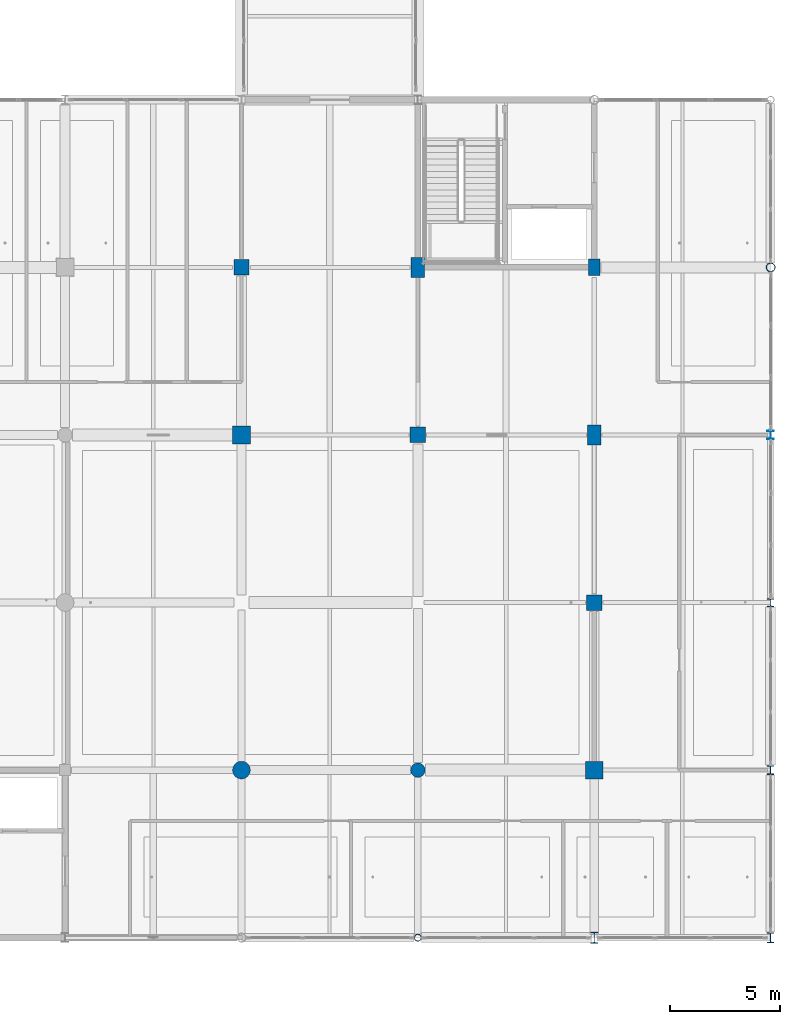
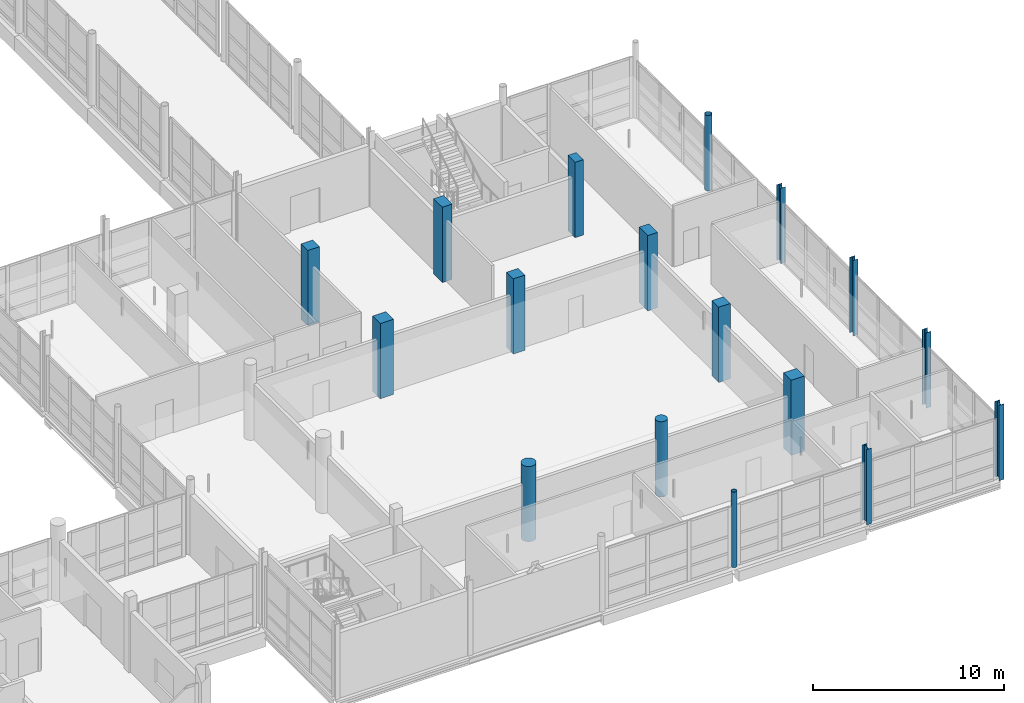
# One storey, part 7 of 141: 17 columns.
"""IFC4 building model written with IfcOpenShell, lengths in metres."""

import ifcopenshell
import ifcopenshell.guid

model = None  # the IFC model being written
_history = None  # IfcOwnerHistory: only IFC2X3 demands one
_inside = {}  # id of a spatial element -> (the spatial element, [elements in it])
_under = {}  # id of a project, library or spatial element -> (it, [spatial elements below it])
_declared = {}  # id of a project -> (the project, [libraries it declares])
_typed = {}  # id of a type object -> (the type object, [elements of that type])
_made_of = {}  # id of a material, layer set ... -> (it, [elements and type objects made of it])


def new_model(schema):
    """Start an empty IFC model of exactly this schema.

    Asked for "IFC4X3", IfcOpenShell would pick the latest addendum, in which some entities
    have other attributes; the version numbers below select the first issue.
    IFC2X3 requires an IfcOwnerHistory on every rooted entity: one is made here for all.
    """
    global model, _history
    if schema == "IFC4X3":
        model = ifcopenshell.file(schema_version=(4, 3, 0, 0))
    else:
        model = ifcopenshell.file(schema=schema)
    _inside.clear()
    _under.clear()
    _declared.clear()
    _typed.clear()
    _made_of.clear()
    _history = None
    if model.schema == "IFC2X3":
        org = make("IfcOrganization", Name="unknown")
        user = make(
            "IfcPersonAndOrganization",
            ThePerson=make("IfcPerson", FamilyName="unknown"),
            TheOrganization=org,
        )
        app = make(
            "IfcApplication",
            ApplicationDeveloper=org,
            Version="unknown",
            ApplicationFullName="unknown",
            ApplicationIdentifier="unknown",
        )
        _history = make(
            "IfcOwnerHistory",
            OwningUser=user,
            OwningApplication=app,
            ChangeAction="ADDED",
            CreationDate=0,
        )
    return model


def make(cls, **values):
    """One entity of the class cls with the attributes given. An attribute that is None is left unset."""
    return model.create_entity(
        cls, **{name: value for name, value in values.items() if value is not None}
    )


def rooted(cls, **values):
    """An entity with a GlobalId (a new one), such as an element, a storey or a relation."""
    return make(cls, GlobalId=ifcopenshell.guid.new(), OwnerHistory=_history, **values)


def si_unit(unit_type, name, prefix=None):
    """IfcSIUnit, for example si_unit("LENGTHUNIT", "METRE", prefix="MILLI")."""
    return make("IfcSIUnit", UnitType=unit_type, Prefix=prefix, Name=name)


def assignment(units):
    """IfcUnitAssignment: the units of a project."""
    return None if units is None else make("IfcUnitAssignment", Units=units)


def point(xyz):
    """IfcCartesianPoint."""
    return None if xyz is None else make("IfcCartesianPoint", Coordinates=xyz)


def direction(xyz):
    """IfcDirection."""
    return None if xyz is None else make("IfcDirection", DirectionRatios=xyz)


def frame(location, z_axis=None, x_axis=None):
    """IfcAxis2Placement3D, a coordinate frame: its origin and axes. An axis left out is left unset."""
    return make(
        "IfcAxis2Placement3D",
        Location=point(location),
        Axis=direction(z_axis),
        RefDirection=direction(x_axis),
    )


def frame_2d(location, x_axis=None):
    """IfcAxis2Placement2D, a coordinate frame in the plane: its origin and x axis."""
    return make(
        "IfcAxis2Placement2D", Location=point(location), RefDirection=direction(x_axis)
    )


def origin():
    """The frame at (0, 0, 0) with its axes left unset."""
    return frame((0.0, 0.0, 0.0))


def origin_2d():
    """The frame at (0, 0) in the plane with its x axis left unset."""
    return frame_2d((0.0, 0.0))


def place(relative_to, where):
    """IfcLocalPlacement: puts the frame where relative to a parent placement (None: the world)."""
    return make(
        "IfcLocalPlacement", PlacementRelTo=relative_to, RelativePlacement=where
    )


def context(
    kind, dimensions, precision=None, world=None, true_north=None, identifier=None
):
    """IfcGeometricRepresentationContext, for example the 3D "Model" context."""
    return make(
        "IfcGeometricRepresentationContext",
        ContextIdentifier=identifier,
        ContextType=kind,
        CoordinateSpaceDimension=dimensions,
        Precision=precision,
        WorldCoordinateSystem=world,
        TrueNorth=true_north,
    )


def subcontext(parent, identifier, kind, view, scale=None):
    """IfcGeometricRepresentationSubContext, for example "Body" below "Model"."""
    return make(
        "IfcGeometricRepresentationSubContext",
        ContextIdentifier=identifier,
        ContextType=kind,
        ParentContext=parent,
        TargetScale=scale,
        TargetView=view,
    )


def project(units=None, contexts=None):
    """IfcProject with its units and contexts."""
    return rooted(
        "IfcProject",
        Name="project",
        RepresentationContexts=contexts,
        UnitsInContext=assignment(units),
    )


def spatial(cls, under=None, at=None, **own):
    """A site, building, storey or space (cls), placed at a placement, below another one or the project."""
    s = rooted(cls, ObjectPlacement=at, **own)
    if under is not None:
        _under.setdefault(under.id(), (under, []))[1].append(s)
    return s


def profile(cls, at=None, kind="AREA", **sizes):
    """A parametric profile (cls). Its sizes go by their IFC names, for example OverallWidth=200.0."""
    return make(cls, ProfileType=kind, Position=at, **sizes)


def rectangle(**sizes):
    """IfcRectangleProfileDef."""
    return profile("IfcRectangleProfileDef", **sizes)


def circle(**sizes):
    """IfcCircleProfileDef."""
    return profile("IfcCircleProfileDef", **sizes)


def hollow_circle(**sizes):
    """IfcCircleHollowProfileDef."""
    return profile("IfcCircleHollowProfileDef", **sizes)


def i_section(**sizes):
    """IfcIShapeProfileDef."""
    return profile("IfcIShapeProfileDef", **sizes)


def extrude(swept, where, along, depth):
    """IfcExtrudedAreaSolid: the profile swept, set in the frame where, extruded along a direction by depth."""
    return make(
        "IfcExtrudedAreaSolid",
        SweptArea=swept,
        Position=where,
        ExtrudedDirection=direction(along),
        Depth=depth,
    )


def shape(context_of_items, identifier, shape_type, items):
    """IfcShapeRepresentation: the items that make up one representation, for example the "Body"."""
    return make(
        "IfcShapeRepresentation",
        ContextOfItems=context_of_items,
        RepresentationIdentifier=identifier,
        RepresentationType=shape_type,
        Items=items,
    )


def material(Name=None, Category=None):
    """IfcMaterial."""
    return make("IfcMaterial", Name=Name, Category=Category)


def material_profile(
    of_material, cross_section, Name=None, Category=None, Priority=None
):
    """IfcMaterialProfile: a cross section and its material."""
    return make(
        "IfcMaterialProfile",
        Name=Name,
        Material=of_material,
        Profile=cross_section,
        Priority=Priority,
        Category=Category,
    )


def profile_set(profiles, Name=None, composite=None):
    """IfcMaterialProfileSet."""
    return make(
        "IfcMaterialProfileSet",
        Name=Name,
        MaterialProfiles=profiles,
        CompositeProfile=composite,
    )


def made_of(thing, what):
    """Note that an element or type object is made of a material, layer set ...; save() writes the relation."""
    if what is not None:
        _made_of.setdefault(what.id(), (what, []))[1].append(thing)
    return thing


def type_object(cls, material=None, **own):
    """A type object (cls), such as IfcWallType, which elements share."""
    return made_of(rooted(cls, **own), material)


def element(
    cls,
    number,
    at=None,
    inside=None,
    cuts=None,
    type_object=None,
    material=None,
    context=None,
    identifier="Body",
    shape_type=None,
    held_by="IfcProductDefinitionShape",
    body=None,
    shapes=None,
    **own,
):
    """One element of the class cls, such as IfcWall. Its Tag is "e" and its number.

    at: its placement. inside: the storey or other place that contains it. cuts: it is an
    opening in that element (IfcRelVoidsElement). A single representation is given by context,
    identifier, shape_type and body (its items); several are given by shapes. held_by: the class
    of the entity that holds the representations. save() writes the other relations.
    """
    e = rooted(cls, Tag="e%d" % number, ObjectPlacement=at, **own)
    if body is not None:
        shapes = [shape(context, identifier, shape_type, body)]
    if shapes is not None:
        e.Representation = make(held_by, Representations=shapes)
    if inside is not None:
        _inside.setdefault(inside.id(), (inside, []))[1].append(e)
    if cuts is not None:
        rooted(
            "IfcRelVoidsElement", RelatingBuildingElement=cuts, RelatedOpeningElement=e
        )
    if type_object is not None:
        _typed.setdefault(type_object.id(), (type_object, []))[1].append(e)
    return made_of(e, material)


def aggregate(whole, parts):
    """IfcRelAggregates: a whole, such as a stair, and the parts it consists of."""
    return rooted("IfcRelAggregates", RelatingObject=whole, RelatedObjects=parts)


def save(model, path):
    """Write the relations noted so far, then the file.

    IfcRelAggregates (storeys below a building ...), IfcRelContainedInSpatialStructure (elements
    in a storey), IfcRelDefinesByType, IfcRelAssociatesMaterial and IfcRelDeclares: one each for
    every whole, place, type object, material and project.
    """
    for whole, parts in _under.values():
        aggregate(whole, parts)
    for where, things in _inside.values():
        rooted(
            "IfcRelContainedInSpatialStructure",
            RelatedElements=things,
            RelatingStructure=where,
        )
    for kind, things in _typed.values():
        rooted("IfcRelDefinesByType", RelatedObjects=things, RelatingType=kind)
    for what, things in _made_of.values():
        rooted("IfcRelAssociatesMaterial", RelatedObjects=things, RelatingMaterial=what)
    for by, libraries in _declared.values():
        rooted("IfcRelDeclares", RelatingContext=by, RelatedDefinitions=libraries)
    model.write(path)


model = new_model("IFC4")

# Units and contexts
model_context = context("Model", 3, precision=1e-05, world=origin(), true_north=direction((0.0, 1.0)))
body_context = subcontext(model_context, "Body", "Model", "MODEL_VIEW")
ifc_project = project(units=[si_unit("LENGTHUNIT", "METRE"), si_unit("AREAUNIT", "SQUARE_METRE"), si_unit("VOLUMEUNIT", "CUBIC_METRE"), si_unit("PLANEANGLEUNIT", "RADIAN"), si_unit("MASSUNIT", "GRAM", prefix="KILO")], contexts=[model_context])

# Site, building, storey
site_placement = place(None, origin())
site = spatial("IfcSite", under=ifc_project, at=site_placement, CompositionType="ELEMENT")
building_placement = place(site_placement, origin())
building = spatial("IfcBuilding", under=site, at=building_placement, Name="Khelvaren Railside Concert Hall", CompositionType="ELEMENT")
storey_placement = place(building_placement, frame((0.0, 0.0, 10.199951171875)))
storey = spatial("IfcBuildingStorey", under=building, at=storey_placement, Name="L02", CompositionType="ELEMENT", Elevation=10.199951171875)

# Columns
ifc_material_1 = material(Name="Steel S355", Category="steel")
ifc_material_profile_1 = material_profile(ifc_material_1, i_section(OverallWidth=0.300048828125, OverallDepth=0.360107421875, WebThickness=0.012451171875, FlangeThickness=0.0224609375, FilletRadius=0.027099609375, at=origin_2d()), Name="HEB 360")
ifc_profile_set_1 = profile_set([ifc_material_profile_1], Name="Steel S355")
column_type_1 = type_object("IfcColumnType", Name="COL12", PredefinedType="COLUMN", material=ifc_profile_set_1)
column_1_placement = place(storey_placement, frame((184.0, 15.199951171875, 0.0), z_axis=(0.0, 0.0, 1.0), x_axis=(1.0, 0.0, 0.0)))
element("IfcColumn", 1, at=column_1_placement, inside=storey, type_object=column_type_1, Name="V2 L02 Column (184.0,15.2)", PredefinedType="COLUMN", context=body_context, shape_type="SweptSolid", body=[
    extrude(i_section(OverallWidth=0.300048828125, OverallDepth=0.360107421875, WebThickness=0.012451171875, FlangeThickness=0.0224609375, FilletRadius=0.027099609375, at=origin_2d()), origin(), (0.0, 0.0, 1.0), 4.800048828125),
])
ifc_material_2 = material(Name="Concrete C45/55", Category="concrete")
ifc_material_profile_2 = material_profile(ifc_material_2, circle(Radius=0.39990234375, at=origin_2d()), Name="RC D800")
ifc_profile_set_2 = profile_set([ifc_material_profile_2], Name="Concrete C45/55")
column_type_2 = type_object("IfcColumnType", Name="COL14", PredefinedType="COLUMN", material=ifc_profile_set_2)
column_2_placement = place(storey_placement, frame((160.0, 7.60009765625, 0.0), z_axis=(0.0, 0.0, 1.0), x_axis=(1.0, 0.0, 0.0)))
element("IfcColumn", 2, at=column_2_placement, inside=storey, type_object=column_type_2, Name="V2 L02 Column (160.0,7.6)", PredefinedType="COLUMN", context=body_context, shape_type="SweptSolid", body=[
    extrude(circle(Radius=0.39990234375, at=origin_2d()), origin(), (0.0, 0.0, 1.0), 4.800048828125),
])
ifc_material_profile_3 = material_profile(ifc_material_1, i_section(OverallWidth=0.300048828125, OverallDepth=0.5, WebThickness=0.014404296875, FlangeThickness=0.028076171875, FilletRadius=0.027099609375, at=origin_2d()), Name="HEB 500")
ifc_profile_set_3 = profile_set([ifc_material_profile_3], Name="Steel S355")
column_type_3 = type_object("IfcColumnType", Name="COL15", PredefinedType="COLUMN", material=ifc_profile_set_3)
column_3_placement = place(storey_placement, frame((176.0, 0.0, 0.0), z_axis=(0.0, 0.0, 1.0), x_axis=(1.0, 0.0, 0.0)))
element("IfcColumn", 3, at=column_3_placement, inside=storey, type_object=column_type_3, Name="V2 L02 Column (176.0,0.0)", PredefinedType="COLUMN", context=body_context, shape_type="SweptSolid", body=[
    extrude(i_section(OverallWidth=0.300048828125, OverallDepth=0.5, WebThickness=0.014404296875, FlangeThickness=0.028076171875, FilletRadius=0.027099609375, at=origin_2d()), origin(), (0.0, 0.0, 1.0), 4.800048828125),
])
ifc_material_profile_4 = material_profile(ifc_material_2, rectangle(XDim=0.800048828125, YDim=0.800048828125, at=origin_2d()), Name="RC 800x800")
ifc_profile_set_4 = profile_set([ifc_material_profile_4], Name="Concrete C45/55")
column_type_4 = type_object("IfcColumnType", Name="COL20", PredefinedType="COLUMN", material=ifc_profile_set_4)
for number, where, z_axis, x_axis, name in (
    (4, (160.0, 22.800048828125, 0.0), (0.0, 0.0, 1.0), (1.0, 0.0, 0.0), "V2 L02 Column (160.0,22.8)"),
    (5, (176.0, 7.60009765625, 0.0), (0.0, 0.0, 1.0), (1.0, 0.0, 0.0), "V2 L02 Column (176.0,7.6)"),
):
    element("IfcColumn", number, at=place(storey_placement, frame(where, z_axis=z_axis, x_axis=x_axis)), inside=storey, type_object=column_type_4, Name=name, PredefinedType="COLUMN", context=body_context, shape_type="SweptSolid", body=[
        extrude(rectangle(XDim=0.800048828125, YDim=0.800048828125, at=origin_2d()), origin(), (0.0, 0.0, 1.0), 4.800048828125),
    ])
ifc_material_profile_5 = material_profile(ifc_material_1, i_section(OverallWidth=0.300048828125, OverallDepth=0.389892578125, WebThickness=0.010986328125, FlangeThickness=0.01904296875, FilletRadius=0.027099609375, at=origin_2d()), Name="HEA 400")
ifc_profile_set_5 = profile_set([ifc_material_profile_5], Name="Steel S355")
column_type_5 = type_object("IfcColumnType", Name="COL23", PredefinedType="COLUMN", material=ifc_profile_set_5)
column_4_placement = place(storey_placement, frame((184.0, 22.800048828125, 0.0), z_axis=(0.0, 0.0, 1.0), x_axis=(1.0, 0.0, 0.0)))
element("IfcColumn", 6, at=column_4_placement, inside=storey, type_object=column_type_5, Name="V2 L02 Column (184.0,22.8)", PredefinedType="COLUMN", context=body_context, shape_type="SweptSolid", body=[
    extrude(i_section(OverallWidth=0.300048828125, OverallDepth=0.389892578125, WebThickness=0.010986328125, FlangeThickness=0.01904296875, FilletRadius=0.027099609375, at=origin_2d()), origin(), (0.0, 0.0, 1.0), 4.800048828125),
])
ifc_material_profile_6 = material_profile(ifc_material_1, hollow_circle(Radius=0.203125, WallThickness=0.02001953125, at=origin_2d()), Name="CHS 406.4x20")
ifc_profile_set_6 = profile_set([ifc_material_profile_6], Name="Steel S355")
column_type_6 = type_object("IfcColumnType", Name="COL27", PredefinedType="COLUMN", material=ifc_profile_set_6)
column_5_placement = place(storey_placement, frame((184.0, 30.39990234375, 0.0), z_axis=(0.0, 0.0, 1.0), x_axis=(1.0, 0.0, 0.0)))
element("IfcColumn", 7, at=column_5_placement, inside=storey, type_object=column_type_6, Name="V2 L02 Column (184.0,30.4)", PredefinedType="COLUMN", context=body_context, shape_type="SweptSolid", body=[
    extrude(hollow_circle(Radius=0.203125, WallThickness=0.02001953125, at=origin_2d()), origin(), (0.0, 0.0, 1.0), 4.800048828125),
])
ifc_material_profile_7 = material_profile(ifc_material_2, rectangle(XDim=0.60009765625, YDim=0.89990234375, at=origin_2d()), Name="RC 600x900")
ifc_profile_set_7 = profile_set([ifc_material_profile_7], Name="Concrete C45/55")
column_type_7 = type_object("IfcColumnType", Name="COL33", PredefinedType="COLUMN", material=ifc_profile_set_7)
for number, where, z_axis, x_axis, name in (
    (8, (168.0, 30.39990234375, 0.0), (0.0, 0.0, 1.0), (1.0, 0.0, 0.0), "V2 L02 Column (168.0,30.4)"),
    (9, (176.0, 22.800048828125, 0.0), (0.0, 0.0, 1.0), (1.0, 0.0, 0.0), "V2 L02 Column (176.0,22.8)"),
):
    element("IfcColumn", number, at=place(storey_placement, frame(where, z_axis=z_axis, x_axis=x_axis)), inside=storey, type_object=column_type_7, Name=name, PredefinedType="COLUMN", context=body_context, shape_type="SweptSolid", body=[
        extrude(rectangle(XDim=0.60009765625, YDim=0.89990234375, at=origin_2d()), origin(), (0.0, 0.0, 1.0), 4.800048828125),
    ])
ifc_material_profile_8 = material_profile(ifc_material_2, rectangle(XDim=0.5, YDim=0.75, at=origin_2d()), Name="RC 500x750")
ifc_profile_set_8 = profile_set([ifc_material_profile_8], Name="Concrete C45/55")
column_type_8 = type_object("IfcColumnType", Name="COL36", PredefinedType="COLUMN", material=ifc_profile_set_8)
column_6_placement = place(storey_placement, frame((176.0, 30.39990234375, 0.0), z_axis=(0.0, 0.0, 1.0), x_axis=(1.0, 0.0, 0.0)))
element("IfcColumn", 10, at=column_6_placement, inside=storey, type_object=column_type_8, Name="V2 L02 Column (176.0,30.4)", PredefinedType="COLUMN", context=body_context, shape_type="SweptSolid", body=[
    extrude(rectangle(XDim=0.5, YDim=0.75, at=origin_2d()), origin(), (0.0, 0.0, 1.0), 4.800048828125),
])
ifc_material_profile_9 = material_profile(ifc_material_1, hollow_circle(Radius=0.161865234375, WallThickness=0.01611328125, at=origin_2d()), Name="CHS 323.9x16")
ifc_profile_set_9 = profile_set([ifc_material_profile_9], Name="Steel S355")
column_type_9 = type_object("IfcColumnType", Name="COL47", PredefinedType="COLUMN", material=ifc_profile_set_9)
column_7_placement = place(storey_placement, frame((168.0, 0.0, 0.0), z_axis=(0.0, 0.0, 1.0), x_axis=(1.0, 0.0, 0.0)))
element("IfcColumn", 11, at=column_7_placement, inside=storey, type_object=column_type_9, Name="V2 L02 Column (168.0,0.0)", PredefinedType="COLUMN", context=body_context, shape_type="SweptSolid", body=[
    extrude(hollow_circle(Radius=0.161865234375, WallThickness=0.01611328125, at=origin_2d()), origin(), (0.0, 0.0, 1.0), 4.800048828125),
])
ifc_material_profile_10 = material_profile(ifc_material_2, rectangle(XDim=0.699951171875, YDim=0.699951171875, at=origin_2d()), Name="RC 700x700")
ifc_profile_set_10 = profile_set([ifc_material_profile_10], Name="Concrete C45/55")
column_type_10 = type_object("IfcColumnType", Name="COL74", PredefinedType="COLUMN", material=ifc_profile_set_10)
for number, where, z_axis, x_axis, name in (
    (12, (160.0, 30.39990234375, 0.0), (0.0, 0.0, 1.0), (1.0, 0.0, 0.0), "V2 L02 Column (160.0,30.4)"),
    (13, (168.0, 22.800048828125, 0.0), (0.0, 0.0, 1.0), (1.0, 0.0, 0.0), "V2 L02 Column (168.0,22.8)"),
    (14, (176.0, 15.199951171875, 0.0), (0.0, 0.0, 1.0), (1.0, 0.0, 0.0), "V2 L02 Column (176.0,15.2)"),
):
    element("IfcColumn", number, at=place(storey_placement, frame(where, z_axis=z_axis, x_axis=x_axis)), inside=storey, type_object=column_type_10, Name=name, PredefinedType="COLUMN", context=body_context, shape_type="SweptSolid", body=[
        extrude(rectangle(XDim=0.699951171875, YDim=0.699951171875, at=origin_2d()), origin(), (0.0, 0.0, 1.0), 4.800048828125),
    ])
ifc_material_profile_11 = material_profile(ifc_material_1, i_section(OverallWidth=0.300048828125, OverallDepth=0.449951171875, WebThickness=0.013916015625, FlangeThickness=0.02587890625, FilletRadius=0.027099609375, at=origin_2d()), Name="HEB 450")
ifc_profile_set_11 = profile_set([ifc_material_profile_11], Name="Steel S355")
column_type_11 = type_object("IfcColumnType", Name="COL77", PredefinedType="COLUMN", material=ifc_profile_set_11)
column_8_placement = place(storey_placement, frame((184.0, 0.0, 0.0), z_axis=(0.0, 0.0, 1.0), x_axis=(1.0, 0.0, 0.0)))
element("IfcColumn", 15, at=column_8_placement, inside=storey, type_object=column_type_11, Name="V2 L02 Column (184.0,0.0)", PredefinedType="COLUMN", context=body_context, shape_type="SweptSolid", body=[
    extrude(i_section(OverallWidth=0.300048828125, OverallDepth=0.449951171875, WebThickness=0.013916015625, FlangeThickness=0.02587890625, FilletRadius=0.027099609375, at=origin_2d()), origin(), (0.0, 0.0, 1.0), 4.800048828125),
])
ifc_material_profile_12 = material_profile(ifc_material_1, i_section(OverallWidth=0.300048828125, OverallDepth=0.39990234375, WebThickness=0.013427734375, FlangeThickness=0.02392578125, FilletRadius=0.027099609375, at=origin_2d()), Name="HEB 400")
ifc_profile_set_12 = profile_set([ifc_material_profile_12], Name="Steel S355")
column_type_12 = type_object("IfcColumnType", Name="COL88", PredefinedType="COLUMN", material=ifc_profile_set_12)
column_9_placement = place(storey_placement, frame((184.0, 7.60009765625, 0.0), z_axis=(0.0, 0.0, 1.0), x_axis=(1.0, 0.0, 0.0)))
element("IfcColumn", 16, at=column_9_placement, inside=storey, type_object=column_type_12, Name="V2 L02 Column (184.0,7.6)", PredefinedType="COLUMN", context=body_context, shape_type="SweptSolid", body=[
    extrude(i_section(OverallWidth=0.300048828125, OverallDepth=0.39990234375, WebThickness=0.013427734375, FlangeThickness=0.02392578125, FilletRadius=0.027099609375, at=origin_2d()), origin(), (0.0, 0.0, 1.0), 4.800048828125),
])
ifc_material_profile_13 = material_profile(ifc_material_2, circle(Radius=0.324951171875, at=origin_2d()), Name="RC D650")
ifc_profile_set_13 = profile_set([ifc_material_profile_13], Name="Concrete C45/55")
column_type_13 = type_object("IfcColumnType", Name="COL94", PredefinedType="COLUMN", material=ifc_profile_set_13)
column_10_placement = place(storey_placement, frame((168.0, 7.60009765625, 0.0), z_axis=(0.0, 0.0, 1.0), x_axis=(1.0, 0.0, 0.0)))
element("IfcColumn", 17, at=column_10_placement, inside=storey, type_object=column_type_13, Name="V2 L02 Column (168.0,7.6)", PredefinedType="COLUMN", context=body_context, shape_type="SweptSolid", body=[
    extrude(circle(Radius=0.324951171875, at=origin_2d()), origin(), (0.0, 0.0, 1.0), 4.800048828125),
])

save(model, "model.ifc")
